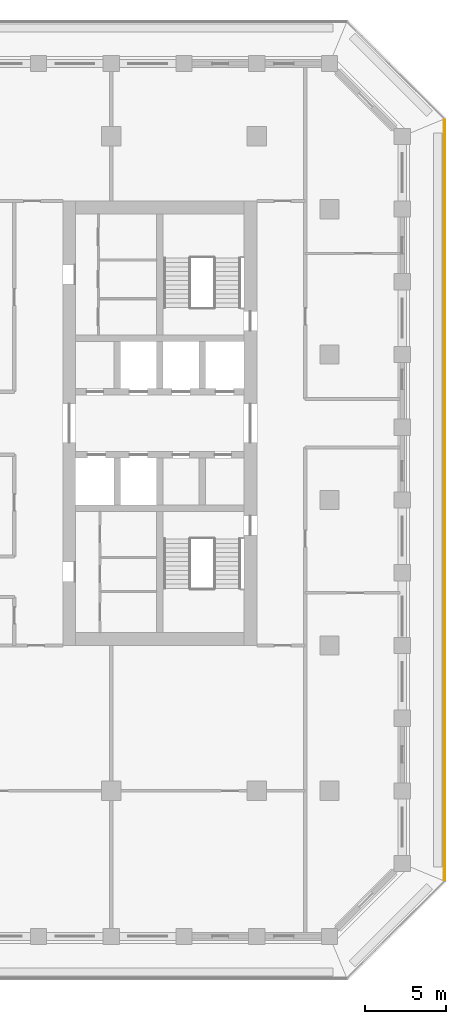
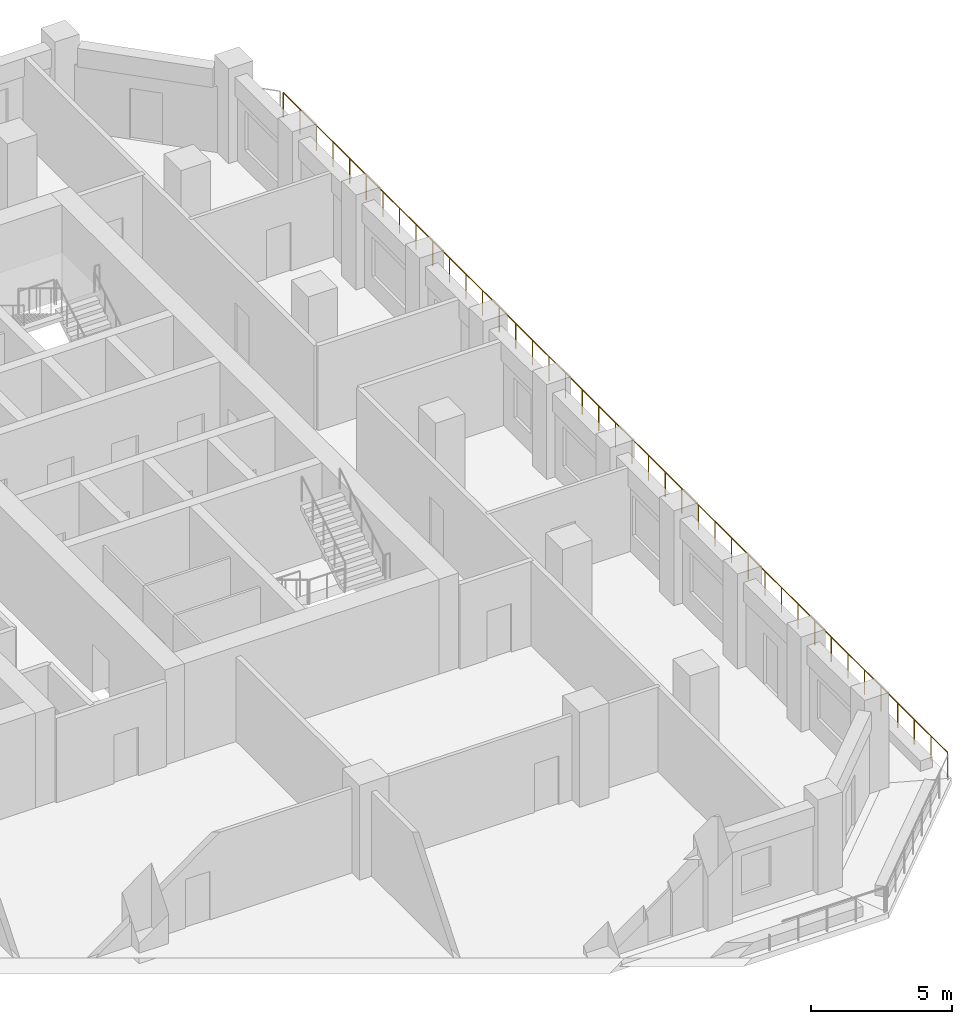
# One storey, part 12 of 16: 1 railing.
"""IFC4 building model written with IfcOpenShell, lengths in metres."""

from ifc_helpers import new_model, si_unit, direction, frame, origin, origin_2d, place, context, subcontext, project, spatial, circle, extrude, material, type_object, element, save


model = new_model("IFC4")

# Units and contexts
model_context = context("Model", 3, precision=1e-05, world=origin(), true_north=direction((0.0, 1.0)))
body_context = subcontext(model_context, "Body", "Model", "MODEL_VIEW")
ifc_project = project(units=[si_unit("LENGTHUNIT", "METRE"), si_unit("AREAUNIT", "SQUARE_METRE"), si_unit("VOLUMEUNIT", "CUBIC_METRE"), si_unit("PLANEANGLEUNIT", "RADIAN"), si_unit("MASSUNIT", "GRAM", prefix="KILO")], contexts=[model_context])

# Site, building, storey
site_placement = place(None, origin())
site = spatial("IfcSite", under=ifc_project, at=site_placement, CompositionType="ELEMENT")
building_placement = place(site_placement, origin())
building = spatial("IfcBuilding", under=site, at=building_placement, Name="Corbel Stack Research Tower", CompositionType="ELEMENT")
storey_placement = place(building_placement, frame((0.0, 0.0, 169.10009765625)))
storey = spatial("IfcBuildingStorey", under=building, at=storey_placement, Name="L38", CompositionType="ELEMENT", Elevation=169.10009765625)

# Railing
ifc_material = material(Name="Powder-coated steel guard", Category="steel")
railing_type = type_object("IfcRailingType", Name="Steel and glass guard 1100", PredefinedType="GUARDRAIL", material=ifc_material)
railing_placement = place(storey_placement, frame((29.60009765625, -23.50537109375, 0.0)))
element("IfcRailing", 1, at=railing_placement, inside=storey, type_object=railing_type, Name="Loggia guard L38 E", PredefinedType="GUARDRAIL", context=body_context, shape_type="SweptSolid", body=[
    extrude(circle(Radius=0.02392578125, at=origin_2d()), frame((0.0, 0.0, 1.076171875), z_axis=(0.0, 1.0, 0.0), x_axis=(-1.0, 0.0, 0.0)), (0.0, 0.0, 1.0), 47.0107421875),
    extrude(circle(Radius=0.02099609375, at=origin_2d()), origin(), (0.0, 0.0, 1.0), 1.052001953125),
    extrude(circle(Radius=0.02099609375, at=origin_2d()), frame((0.0, 1.17529296875, 0.0)), (0.0, 0.0, 1.0), 1.052001953125),
    extrude(circle(Radius=0.02099609375, at=origin_2d()), frame((0.0, 2.3505859375, 0.0)), (0.0, 0.0, 1.0), 1.052001953125),
    extrude(circle(Radius=0.02099609375, at=origin_2d()), frame((0.0, 3.52587890625, 0.0)), (0.0, 0.0, 1.0), 1.052001953125),
    extrude(circle(Radius=0.02099609375, at=origin_2d()), frame((0.0, 4.701171875, 0.0)), (0.0, 0.0, 1.0), 1.052001953125),
    extrude(circle(Radius=0.02099609375, at=origin_2d()), frame((0.0, 5.87646484375, 0.0)), (0.0, 0.0, 1.0), 1.052001953125),
    extrude(circle(Radius=0.02099609375, at=origin_2d()), frame((0.0, 7.051513671875, 0.0)), (0.0, 0.0, 1.0), 1.052001953125),
    extrude(circle(Radius=0.02099609375, at=origin_2d()), frame((0.0, 8.226806640625, 0.0)), (0.0, 0.0, 1.0), 1.052001953125),
    extrude(circle(Radius=0.02099609375, at=origin_2d()), frame((0.0, 9.402099609375, 0.0)), (0.0, 0.0, 1.0), 1.052001953125),
    extrude(circle(Radius=0.02099609375, at=origin_2d()), frame((0.0, 10.577392578125, 0.0)), (0.0, 0.0, 1.0), 1.052001953125),
    extrude(circle(Radius=0.02099609375, at=origin_2d()), frame((0.0, 11.752685546875, 0.0)), (0.0, 0.0, 1.0), 1.052001953125),
    extrude(circle(Radius=0.02099609375, at=origin_2d()), frame((0.0, 12.927978515625, 0.0)), (0.0, 0.0, 1.0), 1.052001953125),
    extrude(circle(Radius=0.02099609375, at=origin_2d()), frame((0.0, 14.103271484375, 0.0)), (0.0, 0.0, 1.0), 1.052001953125),
    extrude(circle(Radius=0.02099609375, at=origin_2d()), frame((0.0, 15.278564453125, 0.0)), (0.0, 0.0, 1.0), 1.052001953125),
    extrude(circle(Radius=0.02099609375, at=origin_2d()), frame((0.0, 16.453857421875, 0.0)), (0.0, 0.0, 1.0), 1.052001953125),
    extrude(circle(Radius=0.02099609375, at=origin_2d()), frame((0.0, 17.62890625, 0.0)), (0.0, 0.0, 1.0), 1.052001953125),
    extrude(circle(Radius=0.02099609375, at=origin_2d()), frame((0.0, 18.80419921875, 0.0)), (0.0, 0.0, 1.0), 1.052001953125),
    extrude(circle(Radius=0.02099609375, at=origin_2d()), frame((0.0, 19.9794921875, 0.0)), (0.0, 0.0, 1.0), 1.052001953125),
    extrude(circle(Radius=0.02099609375, at=origin_2d()), frame((0.0, 21.15478515625, 0.0)), (0.0, 0.0, 1.0), 1.052001953125),
    extrude(circle(Radius=0.02099609375, at=origin_2d()), frame((0.0, 22.330078125, 0.0)), (0.0, 0.0, 1.0), 1.052001953125),
    extrude(circle(Radius=0.02099609375, at=origin_2d()), frame((0.0, 23.50537109375, 0.0)), (0.0, 0.0, 1.0), 1.052001953125),
    extrude(circle(Radius=0.02099609375, at=origin_2d()), frame((0.0, 24.6806640625, 0.0)), (0.0, 0.0, 1.0), 1.052001953125),
    extrude(circle(Radius=0.02099609375, at=origin_2d()), frame((0.0, 25.85595703125, 0.0)), (0.0, 0.0, 1.0), 1.052001953125),
    extrude(circle(Radius=0.02099609375, at=origin_2d()), frame((0.0, 27.03125, 0.0)), (0.0, 0.0, 1.0), 1.052001953125),
    extrude(circle(Radius=0.02099609375, at=origin_2d()), frame((0.0, 28.20654296875, 0.0)), (0.0, 0.0, 1.0), 1.052001953125),
    extrude(circle(Radius=0.02099609375, at=origin_2d()), frame((0.0, 29.3818359375, 0.0)), (0.0, 0.0, 1.0), 1.052001953125),
    extrude(circle(Radius=0.02099609375, at=origin_2d()), frame((0.0, 30.556884765625, 0.0)), (0.0, 0.0, 1.0), 1.052001953125),
    extrude(circle(Radius=0.02099609375, at=origin_2d()), frame((0.0, 31.732177734375, 0.0)), (0.0, 0.0, 1.0), 1.052001953125),
    extrude(circle(Radius=0.02099609375, at=origin_2d()), frame((0.0, 32.907470703125, 0.0)), (0.0, 0.0, 1.0), 1.052001953125),
    extrude(circle(Radius=0.02099609375, at=origin_2d()), frame((0.0, 34.082763671875, 0.0)), (0.0, 0.0, 1.0), 1.052001953125),
    extrude(circle(Radius=0.02099609375, at=origin_2d()), frame((0.0, 35.258056640625, 0.0)), (0.0, 0.0, 1.0), 1.052001953125),
    extrude(circle(Radius=0.02099609375, at=origin_2d()), frame((0.0, 36.433349609375, 0.0)), (0.0, 0.0, 1.0), 1.052001953125),
    extrude(circle(Radius=0.02099609375, at=origin_2d()), frame((0.0, 37.608642578125, 0.0)), (0.0, 0.0, 1.0), 1.052001953125),
    extrude(circle(Radius=0.02099609375, at=origin_2d()), frame((0.0, 38.783935546875, 0.0)), (0.0, 0.0, 1.0), 1.052001953125),
    extrude(circle(Radius=0.02099609375, at=origin_2d()), frame((0.0, 39.959228515625, 0.0)), (0.0, 0.0, 1.0), 1.052001953125),
    extrude(circle(Radius=0.02099609375, at=origin_2d()), frame((0.0, 41.13427734375, 0.0)), (0.0, 0.0, 1.0), 1.052001953125),
    extrude(circle(Radius=0.02099609375, at=origin_2d()), frame((0.0, 42.3095703125, 0.0)), (0.0, 0.0, 1.0), 1.052001953125),
    extrude(circle(Radius=0.02099609375, at=origin_2d()), frame((0.0, 43.48486328125, 0.0)), (0.0, 0.0, 1.0), 1.052001953125),
    extrude(circle(Radius=0.02099609375, at=origin_2d()), frame((0.0, 44.66015625, 0.0)), (0.0, 0.0, 1.0), 1.052001953125),
    extrude(circle(Radius=0.02099609375, at=origin_2d()), frame((0.0, 45.83544921875, 0.0)), (0.0, 0.0, 1.0), 1.052001953125),
    extrude(circle(Radius=0.02099609375, at=origin_2d()), frame((0.0, 47.0107421875, 0.0)), (0.0, 0.0, 1.0), 1.052001953125),
])

save(model, "model.ifc")
